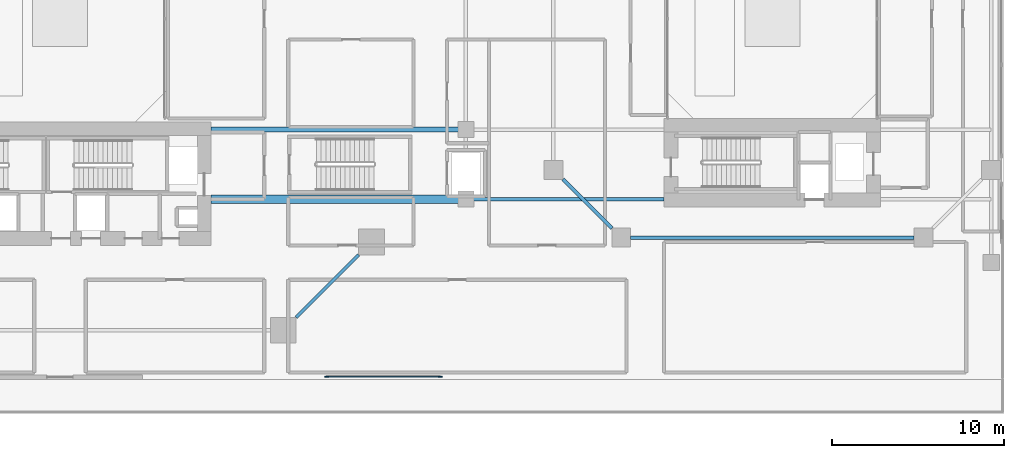
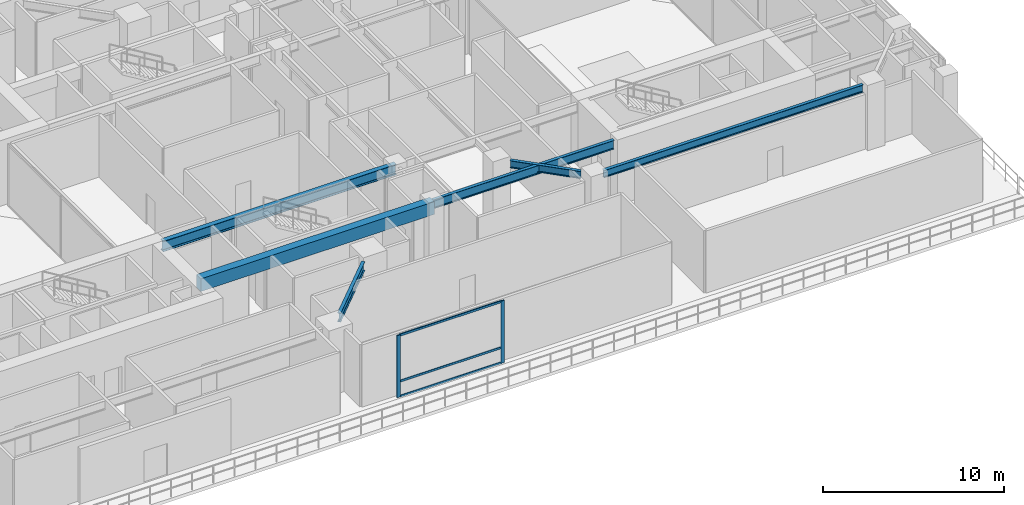
# One storey, part 4 of 19: 6 beams, 5 members, 1 element without a shape of its own.
"""IFC4 building model written with IfcOpenShell, lengths in metres."""

from ifc_helpers import new_model, si_unit, direction, frame, origin, origin_2d, place, context, subcontext, project, spatial, rectangle, i_section, extrude, source, transform, mapped, material, layer, layer_set, material_profile, profile_set, type_object, element, aggregate, save


model = new_model("IFC4")

# Units and contexts
model_context = context("Model", 3, precision=1e-05, world=origin(), true_north=direction((0.0, 1.0)))
body_context = subcontext(model_context, "Body", "Model", "MODEL_VIEW")
ifc_project = project(units=[si_unit("LENGTHUNIT", "METRE"), si_unit("AREAUNIT", "SQUARE_METRE"), si_unit("VOLUMEUNIT", "CUBIC_METRE"), si_unit("PLANEANGLEUNIT", "RADIAN"), si_unit("MASSUNIT", "GRAM", prefix="KILO"), si_unit("THERMODYNAMICTEMPERATUREUNIT", "KELVIN"), si_unit("POWERUNIT", "WATT")], contexts=[model_context])

# Site, building, storey
site_placement = place(None, origin())
site = spatial("IfcSite", under=ifc_project, at=site_placement, CompositionType="ELEMENT")
building_placement = place(site_placement, origin())
building = spatial("IfcBuilding", under=site, at=building_placement, Name="Qiaomeng Ring Towers", CompositionType="ELEMENT")
storey_placement = place(building_placement, frame((0.0, 0.0, 5.0)))
storey = spatial("IfcBuildingStorey", under=building, at=storey_placement, Name="L01", CompositionType="ELEMENT", Elevation=5.0)

# Beams
ifc_material_1 = material(Name="Steel Q355B", Category="steel")
ifc_material_profile_1 = material_profile(ifc_material_1, i_section(OverallWidth=0.199951171875, OverallDepth=0.60009765625, WebThickness=0.010986328125, FlangeThickness=0.01708984375, FilletRadius=0.02197265625, at=origin_2d()), Name="HN 600x200x11x17")
ifc_profile_set_1 = profile_set([ifc_material_profile_1], Name="Steel Q355B")
beam_type_1 = type_object("IfcBeamType", Name="STR-BM-HN600", PredefinedType="BEAM", material=ifc_profile_set_1)
shared_shape_1 = source(origin(), body_context, "Body", "SweptSolid", [
    extrude(i_section(OverallWidth=0.199951171875, OverallDepth=0.60009765625, WebThickness=0.010986328125, FlangeThickness=0.01708984375, FilletRadius=0.02197265625, at=origin_2d()), origin(), (0.0, 0.0, 1.0), 5.163818359375),
])
beam_1_placement = place(storey_placement, frame((32.749267578125, 5.599365234375, 3.8798828125), z_axis=(0.707106781187, 0.707106781187, 0.0), x_axis=(-0.707106781187, 0.707106781187, 0.0)))
element("IfcBeam", 1, at=beam_1_placement, inside=storey, type_object=beam_type_1, Name="L01 beam STR-SP-L01-T1-2", PredefinedType="BEAM", context=body_context, shape_type="MappedRepresentation", body=[
    mapped(shared_shape_1, transform((0.0, 0.0, 0.0), x_axis=(1.0, 0.0, 0.0), y_axis=(0.0, 1.0, 0.0), z_axis=(0.0, 0.0, 1.0), scale=1.0)),
])
ifc_material_profile_2 = material_profile(ifc_material_1, i_section(OverallWidth=0.199951171875, OverallDepth=0.5, WebThickness=0.010009765625, FlangeThickness=0.01611328125, FilletRadius=0.02001953125, at=origin_2d()), Name="HN 500x200x10x16")
ifc_profile_set_2 = profile_set([ifc_material_profile_2], Name="Steel Q355B")
beam_type_2 = type_object("IfcBeamType", Name="STR-BM-HN500", PredefinedType="BEAM", material=ifc_profile_set_2)
shared_shape_2 = source(origin(), body_context, "Body", "SweptSolid", [
    extrude(i_section(OverallWidth=0.199951171875, OverallDepth=0.5, WebThickness=0.010009765625, FlangeThickness=0.01611328125, FilletRadius=0.02001953125, at=origin_2d()), origin(), (0.0, 0.0, 1.0), 4.032470703125),
])
beam_2_placement = place(storey_placement, frame((48.29931640625, 13.650634765625, 3.929931640625), z_axis=(0.707106781187, -0.707106781187, 0.0), x_axis=(0.707106781187, 0.707106781187, 0.0)))
element("IfcBeam", 2, at=beam_2_placement, inside=storey, type_object=beam_type_2, Name="L01 beam STR-SP-L01-T2-0", PredefinedType="BEAM", context=body_context, shape_type="MappedRepresentation", body=[
    mapped(shared_shape_2, transform((0.0, 0.0, 0.0), x_axis=(1.0, 0.0, 0.0), y_axis=(0.0, 1.0, 0.0), z_axis=(0.0, 0.0, 1.0), scale=1.0)),
])
shared_shape_3 = source(origin(), body_context, "Body", "SweptSolid", [
    extrude(i_section(OverallWidth=0.199951171875, OverallDepth=0.5, WebThickness=0.010009765625, FlangeThickness=0.01611328125, FilletRadius=0.02001953125, at=origin_2d()), origin(), (0.0, 0.0, 1.0), 16.501953125),
])
beam_3_placement = place(storey_placement, frame((52.2490234375, 10.25, 3.929931640625), z_axis=(1.0, 0.0, 0.0), x_axis=(0.0, 1.0, 0.0)))
element("IfcBeam", 3, at=beam_3_placement, inside=storey, type_object=beam_type_2, Name="L01 beam STR-SP-L01-T2-1", PredefinedType="BEAM", context=body_context, shape_type="MappedRepresentation", body=[
    mapped(shared_shape_3, transform((0.0, 0.0, 0.0), x_axis=(1.0, 0.0, 0.0), y_axis=(0.0, 1.0, 0.0), z_axis=(0.0, 0.0, 1.0), scale=1.0)),
])
shared_shape_4 = source(origin(), body_context, "Body", "SweptSolid", [
    extrude(i_section(OverallWidth=0.199951171875, OverallDepth=0.60009765625, WebThickness=0.010986328125, FlangeThickness=0.01708984375, FilletRadius=0.02197265625, at=origin_2d()), origin(), (0.0, 0.0, 1.0), 11.550048828125),
])
beam_4_placement = place(storey_placement, frame((42.64990234375, 12.5, 3.8798828125), z_axis=(1.0, 0.0, 0.0), x_axis=(0.0, 1.0, 0.0)))
element("IfcBeam", 4, at=beam_4_placement, inside=storey, type_object=beam_type_1, Name="L01 beam STR-BM-L01-M2-0", PredefinedType="BEAM", context=body_context, shape_type="MappedRepresentation", body=[
    mapped(shared_shape_4, transform((0.0, 0.0, 0.0), x_axis=(1.0, 0.0, 0.0), y_axis=(0.0, 1.0, 0.0), z_axis=(0.0, 0.0, 1.0), scale=1.0)),
])
ifc_material_profile_3 = material_profile(ifc_material_1, i_section(OverallWidth=0.300048828125, OverallDepth=0.699951171875, WebThickness=0.012939453125, FlangeThickness=0.02392578125, FilletRadius=0.02392578125, at=origin_2d()), Name="HN 700x300x13x24")
ifc_profile_set_3 = profile_set([ifc_material_profile_3], Name="Steel Q355B")
beam_type_3 = type_object("IfcBeamType", Name="STR-BM-HN700", PredefinedType="BEAM", material=ifc_profile_set_3)
shared_shape_5 = source(origin(), body_context, "Body", "SweptSolid", [
    extrude(i_section(OverallWidth=0.300048828125, OverallDepth=0.699951171875, WebThickness=0.012939453125, FlangeThickness=0.02392578125, FilletRadius=0.02392578125, at=origin_2d()), origin(), (0.0, 0.0, 1.0), 14.849853515625),
])
beam_5_placement = place(storey_placement, frame((27.800048828125, 16.550048828125, 3.830078125), z_axis=(1.0, 0.0, 0.0), x_axis=(0.0, 1.0, 0.0)))
element("IfcBeam", 5, at=beam_5_placement, inside=storey, type_object=beam_type_3, Name="L01 beam STR-BM-L01-M1-1", PredefinedType="BEAM", context=body_context, shape_type="MappedRepresentation", body=[
    mapped(shared_shape_5, transform((0.0, 0.0, 0.0), x_axis=(1.0, 0.0, 0.0), y_axis=(0.0, 1.0, 0.0), z_axis=(0.0, 0.0, 1.0), scale=1.0)),
])
ifc_material_2 = material(Name="Concrete C50", Category="concrete")
ifc_material_profile_4 = material_profile(ifc_material_2, rectangle(XDim=0.5, YDim=0.85009765625, at=origin_2d()), Name="RC BM 500x850")
ifc_profile_set_4 = profile_set([ifc_material_profile_4], Name="Concrete C50")
beam_type_4 = type_object("IfcBeamType", Name="STR-BM-RC850", PredefinedType="LINTEL", material=ifc_profile_set_4)
shared_shape_6 = source(origin(), body_context, "Body", "SweptSolid", [
    extrude(rectangle(XDim=0.5, YDim=0.85009765625, at=origin_2d()), origin(), (0.0, 0.0, 1.0), 14.849853515625),
])
beam_6_placement = place(storey_placement, frame((27.800048828125, 12.5, 3.7548828125), z_axis=(1.0, 0.0, 0.0), x_axis=(0.0, 1.0, 0.0)))
element("IfcBeam", 6, at=beam_6_placement, inside=storey, type_object=beam_type_4, Name="L01 beam STR-CB-L01-T1S", PredefinedType="LINTEL", context=body_context, shape_type="MappedRepresentation", body=[
    mapped(shared_shape_6, transform((0.0, 0.0, 0.0), x_axis=(1.0, 0.0, 0.0), y_axis=(0.0, 1.0, 0.0), z_axis=(0.0, 0.0, 1.0), scale=1.0)),
])

# Curtain wall, members
ifc_material_3 = material(Name="Fluorocarbon dark-grey aluminium", Category="aluminium")
ifc_layer = layer(ifc_material_3, 0.179931640625, Name="Fluorocarbon dark-grey aluminium")
ifc_layer_set = layer_set([ifc_layer], Name="Fluorocarbon dark-grey aluminium")
curtain_wall_type = type_object("IfcCurtainWallType", Name="ARC-CW-1", PredefinedType="NOTDEFINED", material=ifc_layer_set)
curtain_wall_placement = place(storey_placement, origin())
curtain_wall = element("IfcCurtainWall", 7, at=curtain_wall_placement, inside=storey, type_object=curtain_wall_type, Name="L01 Curtain Wall CW1", PredefinedType="NOTDEFINED")
ifc_material_profile_5 = material_profile(ifc_material_3, rectangle(XDim=0.080078125, YDim=0.219970703125, at=origin_2d()), Name="ALU MULL 80x220")
ifc_profile_set_5 = profile_set([ifc_material_profile_5], Name="Fluorocarbon dark-grey aluminium")
member_type_1 = type_object("IfcMemberType", Name="ARC-CWM-180", PredefinedType="MULLION", material=ifc_profile_set_5)
shared_shape_7 = source(origin(), body_context, "Body", "SweptSolid", [
    extrude(rectangle(XDim=0.080078125, YDim=0.219970703125, at=origin_2d()), origin(), (0.0, 0.0, 1.0), 4.179931640625),
])
member_1_placement = place(storey_placement, frame((34.5400390625, 2.14990234375, 0.0), z_axis=(0.0, 0.0, 1.0), x_axis=(0.0, 1.0, 0.0)))
member_1 = element("IfcMember", 8, at=member_1_placement, type_object=member_type_1, Name="CW1 mullion 1", PredefinedType="MULLION", context=body_context, shape_type="MappedRepresentation", body=[
    mapped(shared_shape_7, transform((0.0, 0.0, 0.0), x_axis=(1.0, 0.0, 0.0), y_axis=(0.0, 1.0, 0.0), z_axis=(0.0, 0.0, 1.0), scale=1.0)),
])
member_2_placement = place(storey_placement, frame((41.159912109375, 2.14990234375, 0.0), z_axis=(0.0, 0.0, 1.0), x_axis=(0.0, 1.0, 0.0)))
member_2 = element("IfcMember", 9, at=member_2_placement, type_object=member_type_1, Name="CW1 mullion 2", PredefinedType="MULLION", context=body_context, shape_type="MappedRepresentation", body=[
    mapped(shared_shape_7, transform((0.0, 0.0, 0.0), x_axis=(1.0, 0.0, 0.0), y_axis=(0.0, 1.0, 0.0), z_axis=(0.0, 0.0, 1.0), scale=1.0)),
])
ifc_material_profile_6 = material_profile(ifc_material_3, rectangle(XDim=0.070068359375, YDim=0.139892578125, at=origin_2d()), Name="ALU TRAN 70x140")
ifc_profile_set_6 = profile_set([ifc_material_profile_6], Name="Fluorocarbon dark-grey aluminium")
member_type_2 = type_object("IfcMemberType", Name="ARC-CWT-140", PredefinedType="USERDEFINED", material=ifc_profile_set_6)
shared_shape_8 = source(origin(), body_context, "Body", "SweptSolid", [
    extrude(rectangle(XDim=0.070068359375, YDim=0.139892578125, at=origin_2d()), origin(), (0.0, 0.0, 1.0), 6.5400390625),
])
member_3_placement = place(storey_placement, frame((34.580078125, 2.14990234375, 0.034912109375), z_axis=(1.0, 0.0, 0.0), x_axis=(0.0, 1.0, 0.0)))
member_3 = element("IfcMember", 10, at=member_3_placement, type_object=member_type_2, Name="CW1 transom 1.1", ObjectType="TRANSOM", PredefinedType="USERDEFINED", context=body_context, shape_type="MappedRepresentation", body=[
    mapped(shared_shape_8, transform((0.0, 0.0, 0.0), x_axis=(1.0, 0.0, 0.0), y_axis=(0.0, 1.0, 0.0), z_axis=(0.0, 0.0, 1.0), scale=1.0)),
])
member_4_placement = place(storey_placement, frame((34.580078125, 2.14990234375, 1.050048828125), z_axis=(1.0, 0.0, 0.0), x_axis=(0.0, 1.0, 0.0)))
member_4 = element("IfcMember", 11, at=member_4_placement, type_object=member_type_2, Name="CW1 transom 1.2", ObjectType="TRANSOM", PredefinedType="USERDEFINED", context=body_context, shape_type="MappedRepresentation", body=[
    mapped(shared_shape_8, transform((0.0, 0.0, 0.0), x_axis=(1.0, 0.0, 0.0), y_axis=(0.0, 1.0, 0.0), z_axis=(0.0, 0.0, 1.0), scale=1.0)),
])
member_5_placement = place(storey_placement, frame((34.580078125, 2.14990234375, 4.14501953125), z_axis=(1.0, 0.0, 0.0), x_axis=(0.0, 1.0, 0.0)))
member_5 = element("IfcMember", 12, at=member_5_placement, type_object=member_type_2, Name="CW1 transom 1.3", ObjectType="TRANSOM", PredefinedType="USERDEFINED", context=body_context, shape_type="MappedRepresentation", body=[
    mapped(shared_shape_8, transform((0.0, 0.0, 0.0), x_axis=(1.0, 0.0, 0.0), y_axis=(0.0, 1.0, 0.0), z_axis=(0.0, 0.0, 1.0), scale=1.0)),
])
aggregate(curtain_wall, [member_1, member_2, member_3, member_4, member_5])

save(model, "model.ifc")
